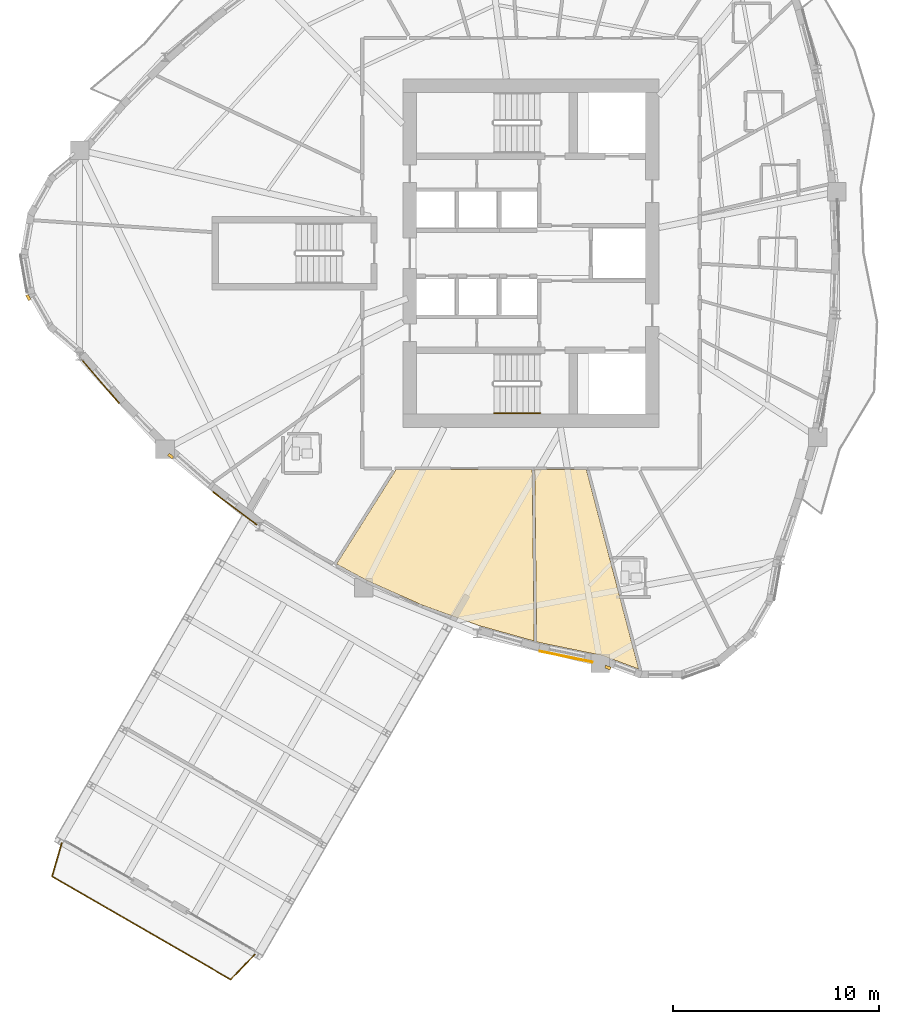
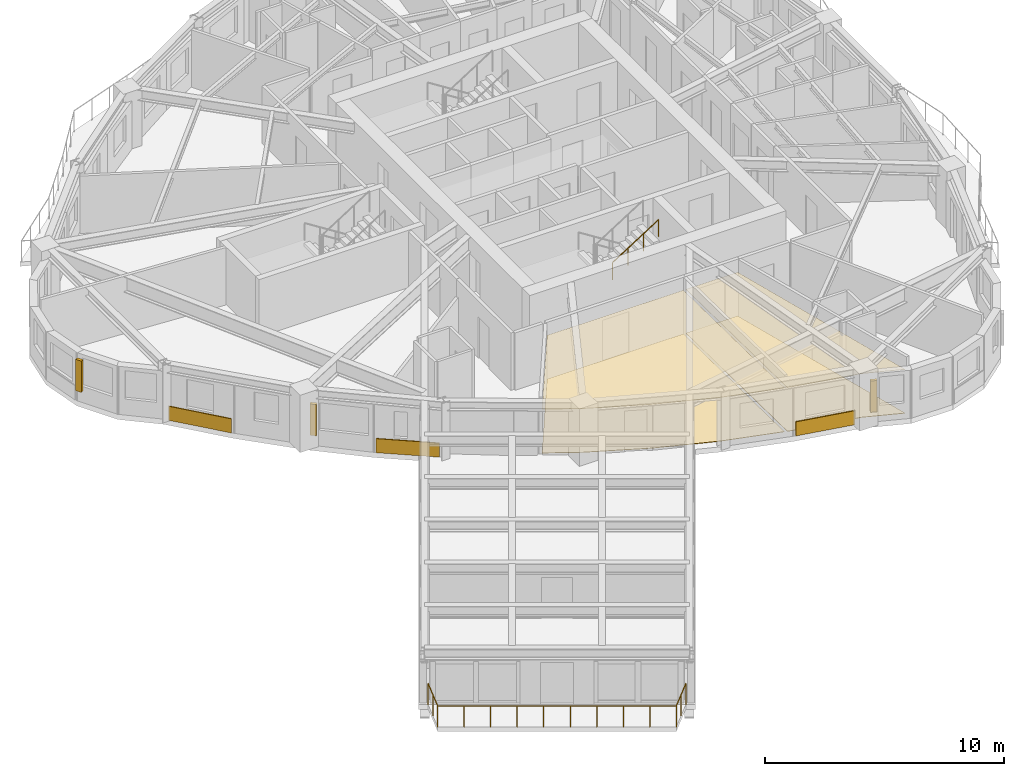
# One storey, part 12 of 17: 7 coverings, 3 shading devices, 2 railings.
"""IFC4 building model written with IfcOpenShell, lengths in metres."""

from ifc_helpers import new_model, si_unit, direction, frame, origin, origin_2d, place, context, subcontext, project, spatial, polyline, rectangle, circle, outline, extrude, source, transform, mapped, material, layer, layer_set, type_object, element, save


model = new_model("IFC4")

# Units and contexts
model_context = context("Model", 3, precision=1e-05, world=origin(), true_north=direction((0.0, 1.0)))
body_context = subcontext(model_context, "Body", "Model", "MODEL_VIEW")
ifc_project = project(units=[si_unit("LENGTHUNIT", "METRE"), si_unit("AREAUNIT", "SQUARE_METRE"), si_unit("VOLUMEUNIT", "CUBIC_METRE"), si_unit("PLANEANGLEUNIT", "RADIAN"), si_unit("MASSUNIT", "GRAM", prefix="KILO")], contexts=[model_context])

# Site, building, storey
site_placement = place(None, origin())
site = spatial("IfcSite", under=ifc_project, at=site_placement, CompositionType="ELEMENT")
building_placement = place(site_placement, origin())
building = spatial("IfcBuilding", under=site, at=building_placement, Name="Qafzar Sky-Pleat Residences", CompositionType="ELEMENT")
storey_placement = place(building_placement, frame((0.0, 0.0, 112.0)))
storey = spatial("IfcBuildingStorey", under=building, at=storey_placement, Name="L33", CompositionType="ELEMENT", Elevation=112.0)

# Coverings
ifc_material_1 = material(Name="Perforated acoustic gypsum board ceiling")
ifc_layer_1 = layer(ifc_material_1, 0.02001953125)
ifc_layer_set_1 = layer_set([ifc_layer_1], Name="Perforated acoustic gypsum board ceiling")
covering_type_1 = type_object("IfcCoveringType", Name="COV-CEIL-ACOUSTIC", PredefinedType="CEILING", material=ifc_layer_set_1)
covering_1_placement = place(storey_placement, frame((0.0, 0.0, 2.239990234375)))
element("IfcCovering", 1, at=covering_1_placement, inside=storey, type_object=covering_type_1, Name="L33 Co-Living Lounge Acoustic Ceiling", PredefinedType="CEILING", context=body_context, shape_type="SweptSolid", body=[
    extrude(outline(polyline([(27.872314453125, 7.941162109375), (25.09375, 8.939697265625), (22.427734375, 10.127685546875), (20.929443359375, 10.93603515625), (23.811279296875, 15.510009765625), (30.41162109375, 15.510009765625), (30.50830078125, 7.203857421875), (27.872314453125, 7.941162109375)])), origin(), (0.0, 0.0, 1.0), 0.02001953125),
])
covering_2_placement = place(storey_placement, frame((0.0, 0.0, 2.239990234375)))
element("IfcCovering", 2, at=covering_2_placement, inside=storey, type_object=covering_type_1, Name="L33 Communal Kitchen Acoustic Ceiling", PredefinedType="CEILING", context=body_context, shape_type="SweptSolid", body=[
    extrude(outline(polyline([(33.8125, 6.504150390625), (30.764404296875, 7.132080078125), (30.628662109375, 7.170166015625), (30.53173828125, 15.510009765625), (33.03759765625, 15.510009765625), (35.570556640625, 5.84765625), (33.8125, 6.504150390625)])), origin(), (0.0, 0.0, 1.0), 0.02001953125),
])
ifc_material_2 = material(Name="Honed porcelain and Riyadh stone tile flooring", Category="masonry")
ifc_layer_2 = layer(ifc_material_2, 0.02001953125)
ifc_layer_set_2 = layer_set([ifc_layer_2], Name="Honed porcelain and Riyadh stone tile flooring")
covering_type_2 = type_object("IfcCoveringType", Name="COV-FLR-PORCELAIN", PredefinedType="FLOORING", material=ifc_layer_set_2)
covering_3_placement = place(storey_placement, origin())
element("IfcCovering", 3, at=covering_3_placement, inside=storey, type_object=covering_type_2, Name="L33 Co-Living Lounge Honed Stone Flooring", PredefinedType="FLOORING", context=body_context, shape_type="SweptSolid", body=[
    extrude(outline(polyline([(27.872314453125, 7.941162109375), (25.09375, 8.939697265625), (22.427734375, 10.127685546875), (20.929443359375, 10.93603515625), (23.811279296875, 15.510009765625), (30.41162109375, 15.510009765625), (30.50830078125, 7.203857421875), (27.872314453125, 7.941162109375)])), origin(), (0.0, 0.0, 1.0), 0.02001953125),
])
covering_4_placement = place(storey_placement, origin())
element("IfcCovering", 4, at=covering_4_placement, inside=storey, type_object=covering_type_2, Name="L33 Communal Kitchen Honed Stone Flooring", PredefinedType="FLOORING", context=body_context, shape_type="SweptSolid", body=[
    extrude(outline(polyline([(33.8125, 6.504150390625), (30.764404296875, 7.132080078125), (30.628662109375, 7.170166015625), (30.53173828125, 15.510009765625), (33.03759765625, 15.510009765625), (35.570556640625, 5.84765625), (33.8125, 6.504150390625)])), origin(), (0.0, 0.0, 1.0), 0.02001953125),
])

# Shading devices
ifc_material_3 = material(Name="Honed Riyadh limestone solar fin", Category="masonry")
ifc_layer_3 = layer(ifc_material_3, 0.139892578125)
ifc_layer_set_3 = layer_set([ifc_layer_3], Name="Honed Riyadh limestone solar fin")
shading_device_type = type_object("IfcShadingDeviceType", Name="SHD-FIN-STONE", PredefinedType="SHUTTER", material=ifc_layer_set_3)
shared_shape_1 = source(origin(), body_context, "Body", "SweptSolid", [
    extrude(rectangle(XDim=0.139892578125, YDim=0.280029296875, at=origin_2d()), origin(), (0.0, 0.0, 1.0), 1.60009765625),
])
for number, where, z_axis, x_axis, name in (
    (5, (5.99072265625, 23.854248046875, 0.599853515625), (0.0, 0.0, 1.0), (-0.868298604268, -0.49604186701, 0.0), "L33 Limestone Solar Fin 5"),
    (6, (12.888427734375, 16.168701171875, 0.599853515625), (0.0, 0.0, 1.0), (-0.659766988526, -0.751470239498, 0.0), "L33 Limestone Solar Fin 9"),
    (7, (34.080810546875, 5.918212890625, 0.599853515625), (0.0, 0.0, 1.0), (-0.349882583119, -0.93679356212, 0.0), "L33 Limestone Solar Fin 17"),
):
    element("IfcShadingDevice", number, at=place(storey_placement, frame(where, z_axis=z_axis, x_axis=x_axis)), inside=storey, type_object=shading_device_type, Name=name, PredefinedType="SHUTTER", context=body_context, shape_type="MappedRepresentation", body=[
        mapped(shared_shape_1, transform((0.0, 0.0, 0.0), x_axis=(1.0, 0.0, 0.0), y_axis=(0.0, 1.0, 0.0), z_axis=(0.0, 0.0, 1.0), scale=1.0)),
    ])

# Coverings
ifc_material_4 = material(Name="Honed Riyadh Tuwaiq limestone cladding", Category="masonry")
ifc_layer_4 = layer(ifc_material_4, 0.044921875)
ifc_layer_set_4 = layer_set([ifc_layer_4], Name="Honed Riyadh Tuwaiq limestone cladding")
covering_type_3 = type_object("IfcCoveringType", Name="COV-CLAD-STONE", PredefinedType="CLADDING", material=ifc_layer_set_4)
shared_shape_2 = source(origin(), body_context, "Body", "SweptSolid", [
    extrude(rectangle(XDim=2.802001953125, YDim=0.044921875, at=origin_2d()), origin(), (0.0, 0.0, 1.0), 0.719970703125),
])
covering_5_placement = place(storey_placement, frame((9.4833984375, 19.792236328125, 0.02001953125), z_axis=(0.0, 0.0, 1.0), x_axis=(0.65073846938, -0.759301945519, 0.0)))
element("IfcCovering", 8, at=covering_5_placement, inside=storey, type_object=covering_type_3, Name="L33 Riyadh Limestone Spandrel Cladding 7", PredefinedType="CLADDING", context=body_context, shape_type="MappedRepresentation", body=[
    mapped(shared_shape_2, transform((0.0, 0.0, 0.0), x_axis=(1.0, 0.0, 0.0), y_axis=(0.0, 1.0, 0.0), z_axis=(0.0, 0.0, 1.0), scale=1.0)),
])
shared_shape_3 = source(origin(), body_context, "Body", "SweptSolid", [
    extrude(rectangle(XDim=2.669189453125, YDim=0.044921875, at=origin_2d()), origin(), (0.0, 0.0, 1.0), 0.719970703125),
])
covering_6_placement = place(storey_placement, frame((15.996337890625, 13.64013671875, 0.02001953125), z_axis=(0.0, 0.0, 1.0), x_axis=(0.798370512802, -0.60216652538, 0.0)))
element("IfcCovering", 9, at=covering_6_placement, inside=storey, type_object=covering_type_3, Name="L33 Riyadh Limestone Spandrel Cladding 10", PredefinedType="CLADDING", context=body_context, shape_type="MappedRepresentation", body=[
    mapped(shared_shape_3, transform((0.0, 0.0, 0.0), x_axis=(1.0, 0.0, 0.0), y_axis=(0.0, 1.0, 0.0), z_axis=(0.0, 0.0, 1.0), scale=1.0)),
])
shared_shape_4 = source(origin(), body_context, "Body", "SweptSolid", [
    extrude(rectangle(XDim=2.613037109375, YDim=0.044921875, at=origin_2d()), origin(), (0.0, 0.0, 1.0), 0.719970703125),
])
covering_7_placement = place(storey_placement, frame((32.052734375, 6.4462890625, 0.02001953125), z_axis=(0.0, 0.0, 1.0), x_axis=(0.979420813579, -0.201828813425, 0.0)))
element("IfcCovering", 10, at=covering_7_placement, inside=storey, type_object=covering_type_3, Name="L33 Riyadh Limestone Spandrel Cladding 16", PredefinedType="CLADDING", context=body_context, shape_type="MappedRepresentation", body=[
    mapped(shared_shape_4, transform((0.0, 0.0, 0.0), x_axis=(1.0, 0.0, 0.0), y_axis=(0.0, 1.0, 0.0), z_axis=(0.0, 0.0, 1.0), scale=1.0)),
])

# Railings
ifc_material_5 = material(Name="Laminated glass and bronze steel balustrade", Category="steel")
railing_type_1 = type_object("IfcRailingType", Name="RAIL-BAL-1100", PredefinedType="BALUSTRADE", material=ifc_material_5)
shared_shape_5 = source(origin(), body_context, "Body", "SweptSolid", [
    extrude(circle(Radius=0.02392578125, at=origin_2d()), frame((0.0, 0.0, 1.076171875), z_axis=(-0.279927595133, -0.960021115123, 0.0), x_axis=(0.960021115123, -0.279927595133, 0.0)), (0.0, 0.0, 1.0), 1.683349609375),
    extrude(circle(Radius=0.02392578125, at=origin_2d()), frame((-0.47119140625, -1.615966796875, 1.076171875), z_axis=(0.866022959057, -0.500004234368, 0.0), x_axis=(0.500004234368, 0.866022959057, 0.0)), (0.0, 0.0, 1.0), 10.0),
    extrude(circle(Radius=0.02392578125, at=origin_2d()), frame((8.18896484375, -6.615966796875, 1.076171875), z_axis=(0.691565058833, 0.722314176381, 0.0), x_axis=(-0.722314176381, 0.691565058833, 0.0)), (0.0, 0.0, 1.0), 1.683349609375),
    extrude(circle(Radius=0.02099609375, at=origin_2d()), origin(), (0.0, 0.0, 1.0), 1.052001953125),
    extrude(circle(Radius=0.02099609375, at=origin_2d()), frame((-0.235595703125, -0.80810546875, 0.0)), (0.0, 0.0, 1.0), 1.052001953125),
    extrude(circle(Radius=0.02099609375, at=origin_2d()), frame((-0.47119140625, -1.615966796875, 0.0)), (0.0, 0.0, 1.0), 1.052001953125),
    extrude(circle(Radius=0.02099609375, at=origin_2d()), frame((0.490966796875, -2.171630859375, 0.0)), (0.0, 0.0, 1.0), 1.052001953125),
    extrude(circle(Radius=0.02099609375, at=origin_2d()), frame((1.453369140625, -2.72705078125, 0.0)), (0.0, 0.0, 1.0), 1.052001953125),
    extrude(circle(Radius=0.02099609375, at=origin_2d()), frame((2.41552734375, -3.28271484375, 0.0)), (0.0, 0.0, 1.0), 1.052001953125),
    extrude(circle(Radius=0.02099609375, at=origin_2d()), frame((3.377685546875, -3.838134765625, 0.0)), (0.0, 0.0, 1.0), 1.052001953125),
    extrude(circle(Radius=0.02099609375, at=origin_2d()), frame((4.340087890625, -4.393798828125, 0.0)), (0.0, 0.0, 1.0), 1.052001953125),
    extrude(circle(Radius=0.02099609375, at=origin_2d()), frame((5.30224609375, -4.94921875, 0.0)), (0.0, 0.0, 1.0), 1.052001953125),
    extrude(circle(Radius=0.02099609375, at=origin_2d()), frame((6.264404296875, -5.5048828125, 0.0)), (0.0, 0.0, 1.0), 1.052001953125),
    extrude(circle(Radius=0.02099609375, at=origin_2d()), frame((7.226806640625, -6.060302734375, 0.0)), (0.0, 0.0, 1.0), 1.052001953125),
    extrude(circle(Radius=0.02099609375, at=origin_2d()), frame((8.18896484375, -6.615966796875, 0.0)), (0.0, 0.0, 1.0), 1.052001953125),
    extrude(circle(Radius=0.02099609375, at=origin_2d()), frame((8.77099609375, -6.008056640625, 0.0)), (0.0, 0.0, 1.0), 1.052001953125),
    extrude(circle(Radius=0.02099609375, at=origin_2d()), frame((9.35302734375, -5.400146484375, 0.0)), (0.0, 0.0, 1.0), 1.052001953125),
])
railing_1_placement = place(storey_placement, frame((7.61083984375, -2.58544921875, 0.0)))
element("IfcRailing", 11, at=railing_1_placement, inside=storey, type_object=railing_type_1, Name="L33 SB-3 Tip Observation Balcony Balustrade", PredefinedType="BALUSTRADE", context=body_context, shape_type="MappedRepresentation", body=[
    mapped(shared_shape_5, transform((0.0, 0.0, 0.0), x_axis=(1.0, 0.0, 0.0), y_axis=(0.0, 1.0, 0.0), z_axis=(0.0, 0.0, 1.0), scale=1.0)),
])
ifc_material_6 = material(Name="Brushed stainless steel handrail", Category="steel")
railing_type_2 = type_object("IfcRailingType", Name="RAIL-STAIR-HAND", PredefinedType="HANDRAIL", material=ifc_material_6)
shared_shape_6 = source(origin(), body_context, "Body", "SweptSolid", [
    extrude(circle(Radius=0.02392578125, at=origin_2d()), frame((0.0, 0.0, 0.8759765625), z_axis=(0.8442293374, 0.0, 0.53598211339), x_axis=(0.0, 1.0, 0.0)), (0.0, 0.0, 1.0), 2.6533203125),
    extrude(circle(Radius=0.02099609375, at=origin_2d()), origin(), (0.0, 0.0, 1.0), 0.851806640625),
    extrude(circle(Radius=0.02099609375, at=origin_2d()), frame((0.74658203125, 0.0, 0.47412109375)), (0.0, 0.0, 1.0), 0.851806640625),
    extrude(circle(Radius=0.02099609375, at=origin_2d()), frame((1.493408203125, 0.0, 0.947998046875)), (0.0, 0.0, 1.0), 0.851806640625),
    extrude(circle(Radius=0.02099609375, at=origin_2d()), frame((2.239990234375, 0.0, 1.422119140625)), (0.0, 0.0, 1.0), 0.851806640625),
])
railing_2_placement = place(storey_placement, frame((28.56005859375, 18.25, 1.77783203125)))
element("IfcRailing", 12, at=railing_2_placement, inside=storey, type_object=railing_type_2, Name="L33 ST1 stair handrail 2", PredefinedType="HANDRAIL", context=body_context, shape_type="MappedRepresentation", body=[
    mapped(shared_shape_6, transform((0.0, 0.0, 0.0), x_axis=(1.0, 0.0, 0.0), y_axis=(0.0, 1.0, 0.0), z_axis=(0.0, 0.0, 1.0), scale=1.0)),
])

save(model, "model.ifc")
